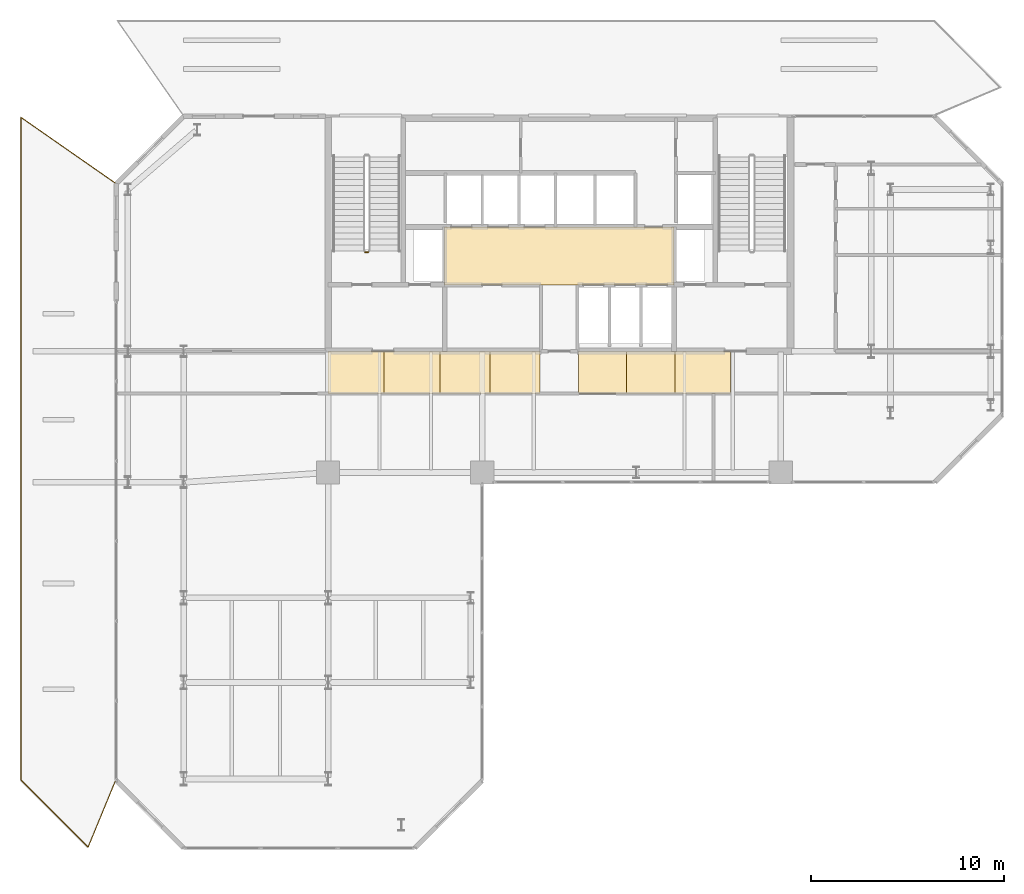
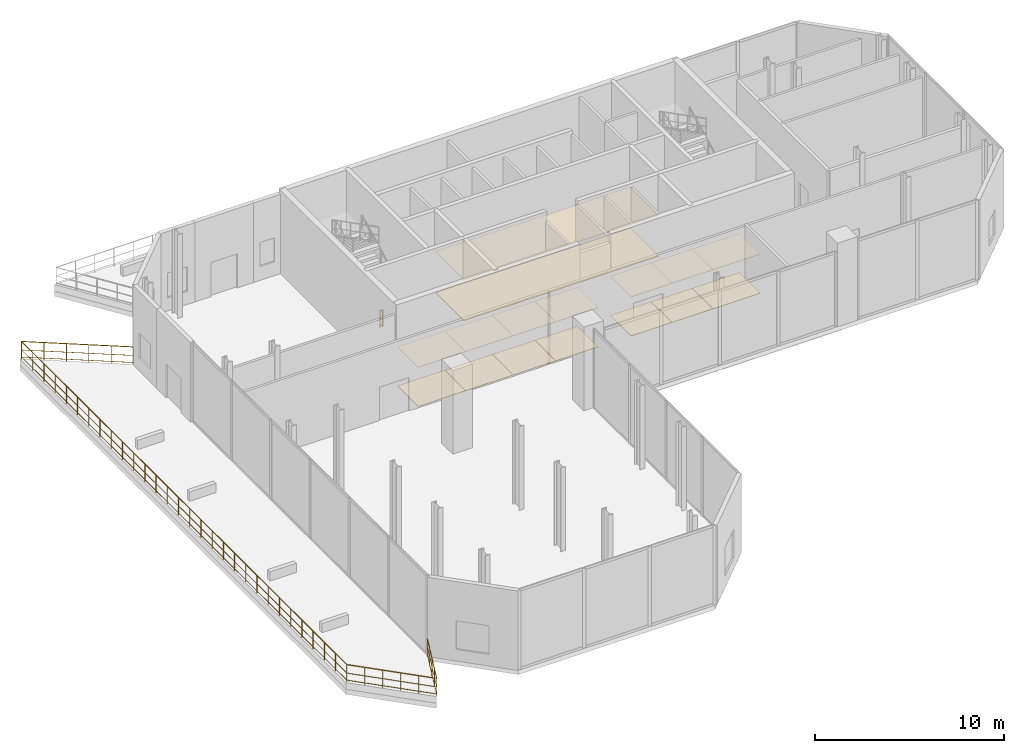
# One storey, part 17 of 18: 16 coverings, 2 railings.
"""IFC4 building model written with IfcOpenShell, lengths in metres."""

import ifcopenshell
import ifcopenshell.guid

model = None  # the IFC model being written
_history = None  # IfcOwnerHistory: only IFC2X3 demands one
_inside = {}  # id of a spatial element -> (the spatial element, [elements in it])
_under = {}  # id of a project, library or spatial element -> (it, [spatial elements below it])
_declared = {}  # id of a project -> (the project, [libraries it declares])
_typed = {}  # id of a type object -> (the type object, [elements of that type])
_made_of = {}  # id of a material, layer set ... -> (it, [elements and type objects made of it])


def new_model(schema):
    """Start an empty IFC model of exactly this schema.

    Asked for "IFC4X3", IfcOpenShell would pick the latest addendum, in which some entities
    have other attributes; the version numbers below select the first issue.
    IFC2X3 requires an IfcOwnerHistory on every rooted entity: one is made here for all.
    """
    global model, _history
    if schema == "IFC4X3":
        model = ifcopenshell.file(schema_version=(4, 3, 0, 0))
    else:
        model = ifcopenshell.file(schema=schema)
    _inside.clear()
    _under.clear()
    _declared.clear()
    _typed.clear()
    _made_of.clear()
    _history = None
    if model.schema == "IFC2X3":
        org = make("IfcOrganization", Name="unknown")
        user = make(
            "IfcPersonAndOrganization",
            ThePerson=make("IfcPerson", FamilyName="unknown"),
            TheOrganization=org,
        )
        app = make(
            "IfcApplication",
            ApplicationDeveloper=org,
            Version="unknown",
            ApplicationFullName="unknown",
            ApplicationIdentifier="unknown",
        )
        _history = make(
            "IfcOwnerHistory",
            OwningUser=user,
            OwningApplication=app,
            ChangeAction="ADDED",
            CreationDate=0,
        )
    return model


def make(cls, **values):
    """One entity of the class cls with the attributes given. An attribute that is None is left unset."""
    return model.create_entity(
        cls, **{name: value for name, value in values.items() if value is not None}
    )


def rooted(cls, **values):
    """An entity with a GlobalId (a new one), such as an element, a storey or a relation."""
    return make(cls, GlobalId=ifcopenshell.guid.new(), OwnerHistory=_history, **values)


def si_unit(unit_type, name, prefix=None):
    """IfcSIUnit, for example si_unit("LENGTHUNIT", "METRE", prefix="MILLI")."""
    return make("IfcSIUnit", UnitType=unit_type, Prefix=prefix, Name=name)


def assignment(units):
    """IfcUnitAssignment: the units of a project."""
    return None if units is None else make("IfcUnitAssignment", Units=units)


def point(xyz):
    """IfcCartesianPoint."""
    return None if xyz is None else make("IfcCartesianPoint", Coordinates=xyz)


def direction(xyz):
    """IfcDirection."""
    return None if xyz is None else make("IfcDirection", DirectionRatios=xyz)


def frame(location, z_axis=None, x_axis=None):
    """IfcAxis2Placement3D, a coordinate frame: its origin and axes. An axis left out is left unset."""
    return make(
        "IfcAxis2Placement3D",
        Location=point(location),
        Axis=direction(z_axis),
        RefDirection=direction(x_axis),
    )


def frame_2d(location, x_axis=None):
    """IfcAxis2Placement2D, a coordinate frame in the plane: its origin and x axis."""
    return make(
        "IfcAxis2Placement2D", Location=point(location), RefDirection=direction(x_axis)
    )


def origin():
    """The frame at (0, 0, 0) with its axes left unset."""
    return frame((0.0, 0.0, 0.0))


def origin_2d():
    """The frame at (0, 0) in the plane with its x axis left unset."""
    return frame_2d((0.0, 0.0))


def place(relative_to, where):
    """IfcLocalPlacement: puts the frame where relative to a parent placement (None: the world)."""
    return make(
        "IfcLocalPlacement", PlacementRelTo=relative_to, RelativePlacement=where
    )


def context(
    kind, dimensions, precision=None, world=None, true_north=None, identifier=None
):
    """IfcGeometricRepresentationContext, for example the 3D "Model" context."""
    return make(
        "IfcGeometricRepresentationContext",
        ContextIdentifier=identifier,
        ContextType=kind,
        CoordinateSpaceDimension=dimensions,
        Precision=precision,
        WorldCoordinateSystem=world,
        TrueNorth=true_north,
    )


def subcontext(parent, identifier, kind, view, scale=None):
    """IfcGeometricRepresentationSubContext, for example "Body" below "Model"."""
    return make(
        "IfcGeometricRepresentationSubContext",
        ContextIdentifier=identifier,
        ContextType=kind,
        ParentContext=parent,
        TargetScale=scale,
        TargetView=view,
    )


def project(units=None, contexts=None):
    """IfcProject with its units and contexts."""
    return rooted(
        "IfcProject",
        Name="project",
        RepresentationContexts=contexts,
        UnitsInContext=assignment(units),
    )


def spatial(cls, under=None, at=None, **own):
    """A site, building, storey or space (cls), placed at a placement, below another one or the project."""
    s = rooted(cls, ObjectPlacement=at, **own)
    if under is not None:
        _under.setdefault(under.id(), (under, []))[1].append(s)
    return s


def polyline(points):
    """IfcPolyline through the points."""
    return make("IfcPolyline", Points=[point(p) for p in points])


def profile(cls, at=None, kind="AREA", **sizes):
    """A parametric profile (cls). Its sizes go by their IFC names, for example OverallWidth=200.0."""
    return make(cls, ProfileType=kind, Position=at, **sizes)


def circle(**sizes):
    """IfcCircleProfileDef."""
    return profile("IfcCircleProfileDef", **sizes)


def outline(outer, holes=None, kind="AREA"):
    """IfcArbitraryClosedProfileDef: a profile drawn as a closed curve; with holes, ...WithVoids."""
    if holes is None:
        return make("IfcArbitraryClosedProfileDef", ProfileType=kind, OuterCurve=outer)
    return make(
        "IfcArbitraryProfileDefWithVoids",
        ProfileType=kind,
        OuterCurve=outer,
        InnerCurves=holes,
    )


def extrude(swept, where, along, depth):
    """IfcExtrudedAreaSolid: the profile swept, set in the frame where, extruded along a direction by depth."""
    return make(
        "IfcExtrudedAreaSolid",
        SweptArea=swept,
        Position=where,
        ExtrudedDirection=direction(along),
        Depth=depth,
    )


def shape(context_of_items, identifier, shape_type, items):
    """IfcShapeRepresentation: the items that make up one representation, for example the "Body"."""
    return make(
        "IfcShapeRepresentation",
        ContextOfItems=context_of_items,
        RepresentationIdentifier=identifier,
        RepresentationType=shape_type,
        Items=items,
    )


def material(Name=None, Category=None):
    """IfcMaterial."""
    return make("IfcMaterial", Name=Name, Category=Category)


def layer(
    of_material, thickness, ventilated=None, Name=None, Category=None, Priority=None
):
    """IfcMaterialLayer: one layer of a wall or slab, of a material (None: an air gap)."""
    return make(
        "IfcMaterialLayer",
        Material=of_material,
        LayerThickness=thickness,
        IsVentilated=ventilated,
        Name=Name,
        Category=Category,
        Priority=Priority,
    )


def layer_set(layers, Name=None):
    """IfcMaterialLayerSet."""
    return make("IfcMaterialLayerSet", MaterialLayers=layers, LayerSetName=Name)


def made_of(thing, what):
    """Note that an element or type object is made of a material, layer set ...; save() writes the relation."""
    if what is not None:
        _made_of.setdefault(what.id(), (what, []))[1].append(thing)
    return thing


def type_object(cls, material=None, **own):
    """A type object (cls), such as IfcWallType, which elements share."""
    return made_of(rooted(cls, **own), material)


def element(
    cls,
    number,
    at=None,
    inside=None,
    cuts=None,
    type_object=None,
    material=None,
    context=None,
    identifier="Body",
    shape_type=None,
    held_by="IfcProductDefinitionShape",
    body=None,
    shapes=None,
    **own,
):
    """One element of the class cls, such as IfcWall. Its Tag is "e" and its number.

    at: its placement. inside: the storey or other place that contains it. cuts: it is an
    opening in that element (IfcRelVoidsElement). A single representation is given by context,
    identifier, shape_type and body (its items); several are given by shapes. held_by: the class
    of the entity that holds the representations. save() writes the other relations.
    """
    e = rooted(cls, Tag="e%d" % number, ObjectPlacement=at, **own)
    if body is not None:
        shapes = [shape(context, identifier, shape_type, body)]
    if shapes is not None:
        e.Representation = make(held_by, Representations=shapes)
    if inside is not None:
        _inside.setdefault(inside.id(), (inside, []))[1].append(e)
    if cuts is not None:
        rooted(
            "IfcRelVoidsElement", RelatingBuildingElement=cuts, RelatedOpeningElement=e
        )
    if type_object is not None:
        _typed.setdefault(type_object.id(), (type_object, []))[1].append(e)
    return made_of(e, material)


def aggregate(whole, parts):
    """IfcRelAggregates: a whole, such as a stair, and the parts it consists of."""
    return rooted("IfcRelAggregates", RelatingObject=whole, RelatedObjects=parts)


def save(model, path):
    """Write the relations noted so far, then the file.

    IfcRelAggregates (storeys below a building ...), IfcRelContainedInSpatialStructure (elements
    in a storey), IfcRelDefinesByType, IfcRelAssociatesMaterial and IfcRelDeclares: one each for
    every whole, place, type object, material and project.
    """
    for whole, parts in _under.values():
        aggregate(whole, parts)
    for where, things in _inside.values():
        rooted(
            "IfcRelContainedInSpatialStructure",
            RelatedElements=things,
            RelatingStructure=where,
        )
    for kind, things in _typed.values():
        rooted("IfcRelDefinesByType", RelatedObjects=things, RelatingType=kind)
    for what, things in _made_of.values():
        rooted("IfcRelAssociatesMaterial", RelatedObjects=things, RelatingMaterial=what)
    for by, libraries in _declared.values():
        rooted("IfcRelDeclares", RelatingContext=by, RelatedDefinitions=libraries)
    model.write(path)


model = new_model("IFC4")

# Units and contexts
model_context = context("Model", 3, precision=1e-05, world=origin(), true_north=direction((0.0, 1.0)))
body_context = subcontext(model_context, "Body", "Model", "MODEL_VIEW")
ifc_project = project(units=[si_unit("LENGTHUNIT", "METRE"), si_unit("AREAUNIT", "SQUARE_METRE"), si_unit("VOLUMEUNIT", "CUBIC_METRE"), si_unit("PLANEANGLEUNIT", "RADIAN"), si_unit("MASSUNIT", "GRAM", prefix="KILO")], contexts=[model_context])

# Site, building, storey
site_placement = place(None, origin())
site = spatial("IfcSite", under=ifc_project, at=site_placement, CompositionType="ELEMENT")
building_placement = place(site_placement, origin())
building = spatial("IfcBuilding", under=site, at=building_placement, Name="Catumbela Crestline Tower", CompositionType="ELEMENT")
storey_placement = place(building_placement, frame((0.0, 0.0, 148.8)))
storey = spatial("IfcBuildingStorey", under=building, at=storey_placement, Name="L38", CompositionType="ELEMENT", Elevation=148.8)

# Coverings
ifc_material_1 = material(Name="Mineral-fibre acoustic ceiling")
ifc_layer_1 = layer(ifc_material_1, 0.03, Name="Mineral-fibre acoustic ceiling")
ifc_layer_set_1 = layer_set([ifc_layer_1], Name="Mineral-fibre acoustic ceiling")
covering_type_1 = type_object("IfcCoveringType", Name="CC-AC", PredefinedType="CEILING", material=ifc_layer_set_1)
covering_1_placement = place(storey_placement, frame((0.0, 0.0, 2.65)))
element("IfcCovering", 1, at=covering_1_placement, inside=storey, type_object=covering_type_1, Name="L38 Lift Lobby Acoustic Ceiling", PredefinedType="CEILING", context=body_context, shape_type="SweptSolid", body=[
    extrude(outline(polyline([(22.05, 34.25), (33.95, 34.25), (33.95, 37.25), (22.05, 37.25), (22.05, 34.25)])), origin(), (0.0, 0.0, 1.0), 0.03),
])
covering_2_placement = place(storey_placement, frame((0.0, 0.0, 2.52)))
element("IfcCovering", 2, at=covering_2_placement, inside=storey, type_object=covering_type_1, Name="L38 Corridor Acoustic Ceiling Bay 1", PredefinedType="CEILING", context=body_context, shape_type="SweptSolid", body=[
    extrude(outline(polyline([(16.0, 28.6), (18.9, 28.6), (18.9, 30.8), (16.0, 30.8), (16.0, 28.6)])), origin(), (0.0, 0.0, 1.0), 0.03),
])
covering_3_placement = place(storey_placement, frame((0.0, 0.0, 2.52)))
element("IfcCovering", 3, at=covering_3_placement, inside=storey, type_object=covering_type_1, Name="L38 Corridor Acoustic Ceiling Bay 2", PredefinedType="CEILING", context=body_context, shape_type="SweptSolid", body=[
    extrude(outline(polyline([(18.9, 28.6), (21.8, 28.6), (21.8, 30.8), (18.9, 30.8), (18.9, 28.6)])), origin(), (0.0, 0.0, 1.0), 0.03),
])
covering_4_placement = place(storey_placement, frame((0.0, 0.0, 2.52)))
element("IfcCovering", 4, at=covering_4_placement, inside=storey, type_object=covering_type_1, Name="L38 Corridor Acoustic Ceiling Bay 3", PredefinedType="CEILING", context=body_context, shape_type="SweptSolid", body=[
    extrude(outline(polyline([(21.8, 28.6), (24.4, 28.6), (24.4, 30.8), (21.8, 30.8), (21.8, 28.6)])), origin(), (0.0, 0.0, 1.0), 0.03),
])
covering_5_placement = place(storey_placement, frame((0.0, 0.0, 2.52)))
element("IfcCovering", 5, at=covering_5_placement, inside=storey, type_object=covering_type_1, Name="L38 Corridor Acoustic Ceiling Bay 4", PredefinedType="CEILING", context=body_context, shape_type="SweptSolid", body=[
    extrude(outline(polyline([(24.4, 28.6), (27.0, 28.6), (27.0, 30.8), (24.4, 30.8), (24.4, 28.6)])), origin(), (0.0, 0.0, 1.0), 0.03),
])
covering_6_placement = place(storey_placement, frame((0.0, 0.0, 2.52)))
element("IfcCovering", 6, at=covering_6_placement, inside=storey, type_object=covering_type_1, Name="L38 Corridor Acoustic Ceiling Bay 5", PredefinedType="CEILING", context=body_context, shape_type="SweptSolid", body=[
    extrude(outline(polyline([(29.0, 28.6), (31.5, 28.6), (31.5, 30.8), (29.0, 30.8), (29.0, 28.6)])), origin(), (0.0, 0.0, 1.0), 0.03),
])
covering_7_placement = place(storey_placement, frame((0.0, 0.0, 2.52)))
element("IfcCovering", 7, at=covering_7_placement, inside=storey, type_object=covering_type_1, Name="L38 Corridor Acoustic Ceiling Bay 6", PredefinedType="CEILING", context=body_context, shape_type="SweptSolid", body=[
    extrude(outline(polyline([(31.5, 28.6), (34.0, 28.6), (34.0, 30.8), (31.5, 30.8), (31.5, 28.6)])), origin(), (0.0, 0.0, 1.0), 0.03),
])
covering_8_placement = place(storey_placement, frame((0.0, 0.0, 2.52)))
element("IfcCovering", 8, at=covering_8_placement, inside=storey, type_object=covering_type_1, Name="L38 Corridor Acoustic Ceiling Bay 7", PredefinedType="CEILING", context=body_context, shape_type="SweptSolid", body=[
    extrude(outline(polyline([(34.0, 28.6), (36.9, 28.6), (36.9, 30.8), (34.0, 30.8), (34.0, 28.6)])), origin(), (0.0, 0.0, 1.0), 0.03),
])
ifc_material_2 = material(Name="Angolan grey-ochre granite", Category="masonry")
ifc_layer_2 = layer(ifc_material_2, 0.025, Name="Angolan grey-ochre granite")
ifc_layer_set_2 = layer_set([ifc_layer_2], Name="Angolan grey-ochre granite")
covering_type_2 = type_object("IfcCoveringType", Name="CF-GR", PredefinedType="FLOORING", material=ifc_layer_set_2)
covering_9_placement = place(storey_placement, origin())
element("IfcCovering", 9, at=covering_9_placement, inside=storey, type_object=covering_type_2, Name="L38 Corridor Granite Flooring Bay 1", PredefinedType="FLOORING", context=body_context, shape_type="SweptSolid", body=[
    extrude(outline(polyline([(16.0, 28.6), (18.9, 28.6), (18.9, 30.8), (16.0, 30.8), (16.0, 28.6)])), origin(), (0.0, 0.0, 1.0), 0.025),
])
covering_10_placement = place(storey_placement, origin())
element("IfcCovering", 10, at=covering_10_placement, inside=storey, type_object=covering_type_2, Name="L38 Corridor Granite Flooring Bay 2", PredefinedType="FLOORING", context=body_context, shape_type="SweptSolid", body=[
    extrude(outline(polyline([(18.9, 28.6), (21.8, 28.6), (21.8, 30.8), (18.9, 30.8), (18.9, 28.6)])), origin(), (0.0, 0.0, 1.0), 0.025),
])
covering_11_placement = place(storey_placement, origin())
element("IfcCovering", 11, at=covering_11_placement, inside=storey, type_object=covering_type_2, Name="L38 Corridor Granite Flooring Bay 3", PredefinedType="FLOORING", context=body_context, shape_type="SweptSolid", body=[
    extrude(outline(polyline([(21.8, 28.6), (24.4, 28.6), (24.4, 30.8), (21.8, 30.8), (21.8, 28.6)])), origin(), (0.0, 0.0, 1.0), 0.025),
])
covering_12_placement = place(storey_placement, origin())
element("IfcCovering", 12, at=covering_12_placement, inside=storey, type_object=covering_type_2, Name="L38 Corridor Granite Flooring Bay 4", PredefinedType="FLOORING", context=body_context, shape_type="SweptSolid", body=[
    extrude(outline(polyline([(24.4, 28.6), (27.0, 28.6), (27.0, 30.8), (24.4, 30.8), (24.4, 28.6)])), origin(), (0.0, 0.0, 1.0), 0.025),
])
covering_13_placement = place(storey_placement, origin())
element("IfcCovering", 13, at=covering_13_placement, inside=storey, type_object=covering_type_2, Name="L38 Corridor Granite Flooring Bay 5", PredefinedType="FLOORING", context=body_context, shape_type="SweptSolid", body=[
    extrude(outline(polyline([(29.0, 28.6), (31.5, 28.6), (31.5, 30.8), (29.0, 30.8), (29.0, 28.6)])), origin(), (0.0, 0.0, 1.0), 0.025),
])
covering_14_placement = place(storey_placement, origin())
element("IfcCovering", 14, at=covering_14_placement, inside=storey, type_object=covering_type_2, Name="L38 Corridor Granite Flooring Bay 6", PredefinedType="FLOORING", context=body_context, shape_type="SweptSolid", body=[
    extrude(outline(polyline([(31.5, 28.6), (34.0, 28.6), (34.0, 30.8), (31.5, 30.8), (31.5, 28.6)])), origin(), (0.0, 0.0, 1.0), 0.025),
])
covering_15_placement = place(storey_placement, origin())
element("IfcCovering", 15, at=covering_15_placement, inside=storey, type_object=covering_type_2, Name="L38 Corridor Granite Flooring Bay 7", PredefinedType="FLOORING", context=body_context, shape_type="SweptSolid", body=[
    extrude(outline(polyline([(34.0, 28.6), (36.9, 28.6), (36.9, 30.8), (34.0, 30.8), (34.0, 28.6)])), origin(), (0.0, 0.0, 1.0), 0.025),
])
covering_16_placement = place(storey_placement, origin())
element("IfcCovering", 16, at=covering_16_placement, inside=storey, type_object=covering_type_2, Name="L38 Lift Lobby Granite Flooring", PredefinedType="FLOORING", context=body_context, shape_type="SweptSolid", body=[
    extrude(outline(polyline([(22.05, 34.25), (33.95, 34.25), (33.95, 37.25), (22.05, 37.25), (22.05, 34.25)])), origin(), (0.0, 0.0, 1.0), 0.025),
])

# Railings
ifc_material_3 = material(Name="Stainless steel EN 1.4401", Category="steel")
railing_type_1 = type_object("IfcRailingType", Name="RG-1100", PredefinedType="GUARDRAIL", material=ifc_material_3)
railing_1_placement = place(storey_placement, frame((18.09, 35.95, 0.0)))
element("IfcRailing", 17, at=railing_1_placement, inside=storey, type_object=railing_type_1, Name="L38 ST-01 stair guard 4", PredefinedType="GUARDRAIL", context=body_context, shape_type="SweptSolid", body=[
    extrude(circle(Radius=0.024, at=origin_2d()), frame((0.0, 0.0, 1.076), z_axis=(-1.0, 0.0, 0.0), x_axis=(0.0, -1.0, 0.0)), (0.0, 0.0, 1.0), 0.18),
    extrude(circle(Radius=0.0156, at=origin_2d()), frame((0.0, 0.0, 0.55), z_axis=(-1.0, 0.0, 0.0), x_axis=(0.0, -1.0, 0.0)), (0.0, 0.0, 1.0), 0.18),
    extrude(circle(Radius=0.0156, at=origin_2d()), frame((0.0, 0.0, 0.12), z_axis=(-1.0, 0.0, 0.0), x_axis=(0.0, -1.0, 0.0)), (0.0, 0.0, 1.0), 0.18),
    extrude(circle(Radius=0.021, at=origin_2d()), origin(), (0.0, 0.0, 1.0), 1.052),
    extrude(circle(Radius=0.021, at=origin_2d()), frame((-0.18, 0.0, 0.0)), (0.0, 0.0, 1.0), 1.052),
])
railing_type_2 = type_object("IfcRailingType", Name="RT-1150", PredefinedType="BALUSTRADE", material=ifc_material_3)
railing_2_placement = place(storey_placement, frame((4.94, 8.46, -0.02)))
element("IfcRailing", 18, at=railing_2_placement, inside=storey, type_object=railing_type_2, Name="L38 Sky-Garden Terrace Balustrade TER-L38-W", PredefinedType="BALUSTRADE", context=body_context, shape_type="SweptSolid", body=[
    extrude(circle(Radius=0.024, at=origin_2d()), frame((0.0, 0.0, 1.126), z_axis=(-0.380749805254, -0.924678098475, 0.0), x_axis=(0.924678098475, -0.380749805254, 0.0)), (0.0, 0.0, 1.0), 3.677),
    extrude(circle(Radius=0.0156, at=origin_2d()), frame((0.0, 0.0, 0.575), z_axis=(-0.380749805254, -0.924678098475, 0.0), x_axis=(0.924678098475, -0.380749805254, 0.0)), (0.0, 0.0, 1.0), 3.677),
    extrude(circle(Radius=0.0156, at=origin_2d()), frame((0.0, 0.0, 0.12), z_axis=(-0.380749805254, -0.924678098475, 0.0), x_axis=(0.924678098475, -0.380749805254, 0.0)), (0.0, 0.0, 1.0), 3.677),
    extrude(circle(Radius=0.024, at=origin_2d()), frame((-1.4, -3.4, 1.126), z_axis=(-0.707106781187, 0.707106781187, 0.0), x_axis=(-0.707106781187, -0.707106781187, 0.0)), (0.0, 0.0, 1.0), 4.9215),
    extrude(circle(Radius=0.0156, at=origin_2d()), frame((-1.4, -3.4, 0.575), z_axis=(-0.707106781187, 0.707106781187, 0.0), x_axis=(-0.707106781187, -0.707106781187, 0.0)), (0.0, 0.0, 1.0), 4.9215),
    extrude(circle(Radius=0.0156, at=origin_2d()), frame((-1.4, -3.4, 0.12), z_axis=(-0.707106781187, 0.707106781187, 0.0), x_axis=(-0.707106781187, -0.707106781187, 0.0)), (0.0, 0.0, 1.0), 4.9215),
    extrude(circle(Radius=0.024, at=origin_2d()), frame((-4.88, 0.08, 1.126), z_axis=(0.0, 1.0, 0.0), x_axis=(-1.0, 0.0, 0.0)), (0.0, 0.0, 1.0), 34.4),
    extrude(circle(Radius=0.0156, at=origin_2d()), frame((-4.88, 0.08, 0.575), z_axis=(0.0, 1.0, 0.0), x_axis=(-1.0, 0.0, 0.0)), (0.0, 0.0, 1.0), 34.4),
    extrude(circle(Radius=0.0156, at=origin_2d()), frame((-4.88, 0.08, 0.12), z_axis=(0.0, 1.0, 0.0), x_axis=(-1.0, 0.0, 0.0)), (0.0, 0.0, 1.0), 34.4),
    extrude(circle(Radius=0.024, at=origin_2d()), frame((-4.88, 34.48, 1.126), z_axis=(0.820493756817, -0.571655486307, 0.0), x_axis=(0.571655486307, 0.820493756817, 0.0)), (0.0, 0.0, 1.0), 5.9476),
    extrude(circle(Radius=0.0156, at=origin_2d()), frame((-4.88, 34.48, 0.575), z_axis=(0.820493756817, -0.571655486307, 0.0), x_axis=(0.571655486307, 0.820493756817, 0.0)), (0.0, 0.0, 1.0), 5.9476),
    extrude(circle(Radius=0.0156, at=origin_2d()), frame((-4.88, 34.48, 0.12), z_axis=(0.820493756817, -0.571655486307, 0.0), x_axis=(0.571655486307, 0.820493756817, 0.0)), (0.0, 0.0, 1.0), 5.9476),
    extrude(circle(Radius=0.021, at=origin_2d()), origin(), (0.0, 0.0, 1.0), 1.102),
    extrude(circle(Radius=0.021, at=origin_2d()), frame((-0.35, -0.85, 0.0)), (0.0, 0.0, 1.0), 1.102),
    extrude(circle(Radius=0.021, at=origin_2d()), frame((-0.7, -1.7, 0.0)), (0.0, 0.0, 1.0), 1.102),
    extrude(circle(Radius=0.021, at=origin_2d()), frame((-1.05, -2.55, 0.0)), (0.0, 0.0, 1.0), 1.102),
    extrude(circle(Radius=0.021, at=origin_2d()), frame((-1.4, -3.4, 0.0)), (0.0, 0.0, 1.0), 1.102),
    extrude(circle(Radius=0.021, at=origin_2d()), frame((-2.096, -2.704, 0.0)), (0.0, 0.0, 1.0), 1.102),
    extrude(circle(Radius=0.021, at=origin_2d()), frame((-2.792, -2.008, 0.0)), (0.0, 0.0, 1.0), 1.102),
    extrude(circle(Radius=0.021, at=origin_2d()), frame((-3.488, -1.312, 0.0)), (0.0, 0.0, 1.0), 1.102),
    extrude(circle(Radius=0.021, at=origin_2d()), frame((-4.184, -0.616, 0.0)), (0.0, 0.0, 1.0), 1.102),
    extrude(circle(Radius=0.021, at=origin_2d()), frame((-4.88, 0.08, 0.0)), (0.0, 0.0, 1.0), 1.102),
    extrude(circle(Radius=0.021, at=origin_2d()), frame((-4.88, 1.2662, 0.0)), (0.0, 0.0, 1.0), 1.102),
    extrude(circle(Radius=0.021, at=origin_2d()), frame((-4.88, 2.4524, 0.0)), (0.0, 0.0, 1.0), 1.102),
    extrude(circle(Radius=0.021, at=origin_2d()), frame((-4.88, 3.6386, 0.0)), (0.0, 0.0, 1.0), 1.102),
    extrude(circle(Radius=0.021, at=origin_2d()), frame((-4.88, 4.8248, 0.0)), (0.0, 0.0, 1.0), 1.102),
    extrude(circle(Radius=0.021, at=origin_2d()), frame((-4.88, 6.011, 0.0)), (0.0, 0.0, 1.0), 1.102),
    extrude(circle(Radius=0.021, at=origin_2d()), frame((-4.88, 7.1972, 0.0)), (0.0, 0.0, 1.0), 1.102),
    extrude(circle(Radius=0.021, at=origin_2d()), frame((-4.88, 8.3834, 0.0)), (0.0, 0.0, 1.0), 1.102),
    extrude(circle(Radius=0.021, at=origin_2d()), frame((-4.88, 9.5697, 0.0)), (0.0, 0.0, 1.0), 1.102),
    extrude(circle(Radius=0.021, at=origin_2d()), frame((-4.88, 10.7559, 0.0)), (0.0, 0.0, 1.0), 1.102),
    extrude(circle(Radius=0.021, at=origin_2d()), frame((-4.88, 11.9421, 0.0)), (0.0, 0.0, 1.0), 1.102),
    extrude(circle(Radius=0.021, at=origin_2d()), frame((-4.88, 13.1283, 0.0)), (0.0, 0.0, 1.0), 1.102),
    extrude(circle(Radius=0.021, at=origin_2d()), frame((-4.88, 14.3145, 0.0)), (0.0, 0.0, 1.0), 1.102),
    extrude(circle(Radius=0.021, at=origin_2d()), frame((-4.88, 15.5007, 0.0)), (0.0, 0.0, 1.0), 1.102),
    extrude(circle(Radius=0.021, at=origin_2d()), frame((-4.88, 16.6869, 0.0)), (0.0, 0.0, 1.0), 1.102),
    extrude(circle(Radius=0.021, at=origin_2d()), frame((-4.88, 17.8731, 0.0)), (0.0, 0.0, 1.0), 1.102),
    extrude(circle(Radius=0.021, at=origin_2d()), frame((-4.88, 19.0593, 0.0)), (0.0, 0.0, 1.0), 1.102),
    extrude(circle(Radius=0.021, at=origin_2d()), frame((-4.88, 20.2455, 0.0)), (0.0, 0.0, 1.0), 1.102),
    extrude(circle(Radius=0.021, at=origin_2d()), frame((-4.88, 21.4317, 0.0)), (0.0, 0.0, 1.0), 1.102),
    extrude(circle(Radius=0.021, at=origin_2d()), frame((-4.88, 22.6179, 0.0)), (0.0, 0.0, 1.0), 1.102),
    extrude(circle(Radius=0.021, at=origin_2d()), frame((-4.88, 23.8041, 0.0)), (0.0, 0.0, 1.0), 1.102),
    extrude(circle(Radius=0.021, at=origin_2d()), frame((-4.88, 24.9903, 0.0)), (0.0, 0.0, 1.0), 1.102),
    extrude(circle(Radius=0.021, at=origin_2d()), frame((-4.88, 26.1766, 0.0)), (0.0, 0.0, 1.0), 1.102),
    extrude(circle(Radius=0.021, at=origin_2d()), frame((-4.88, 27.3628, 0.0)), (0.0, 0.0, 1.0), 1.102),
    extrude(circle(Radius=0.021, at=origin_2d()), frame((-4.88, 28.549, 0.0)), (0.0, 0.0, 1.0), 1.102),
    extrude(circle(Radius=0.021, at=origin_2d()), frame((-4.88, 29.7352, 0.0)), (0.0, 0.0, 1.0), 1.102),
    extrude(circle(Radius=0.021, at=origin_2d()), frame((-4.88, 30.9214, 0.0)), (0.0, 0.0, 1.0), 1.102),
    extrude(circle(Radius=0.021, at=origin_2d()), frame((-4.88, 32.1076, 0.0)), (0.0, 0.0, 1.0), 1.102),
    extrude(circle(Radius=0.021, at=origin_2d()), frame((-4.88, 33.2938, 0.0)), (0.0, 0.0, 1.0), 1.102),
    extrude(circle(Radius=0.021, at=origin_2d()), frame((-4.88, 34.48, 0.0)), (0.0, 0.0, 1.0), 1.102),
    extrude(circle(Radius=0.021, at=origin_2d()), frame((-3.904, 33.8, 0.0)), (0.0, 0.0, 1.0), 1.102),
    extrude(circle(Radius=0.021, at=origin_2d()), frame((-2.928, 33.12, 0.0)), (0.0, 0.0, 1.0), 1.102),
    extrude(circle(Radius=0.021, at=origin_2d()), frame((-1.952, 32.44, 0.0)), (0.0, 0.0, 1.0), 1.102),
    extrude(circle(Radius=0.021, at=origin_2d()), frame((-0.976, 31.76, 0.0)), (0.0, 0.0, 1.0), 1.102),
    extrude(circle(Radius=0.021, at=origin_2d()), frame((0.0, 31.08, 0.0)), (0.0, 0.0, 1.0), 1.102),
])

save(model, "model.ifc")
